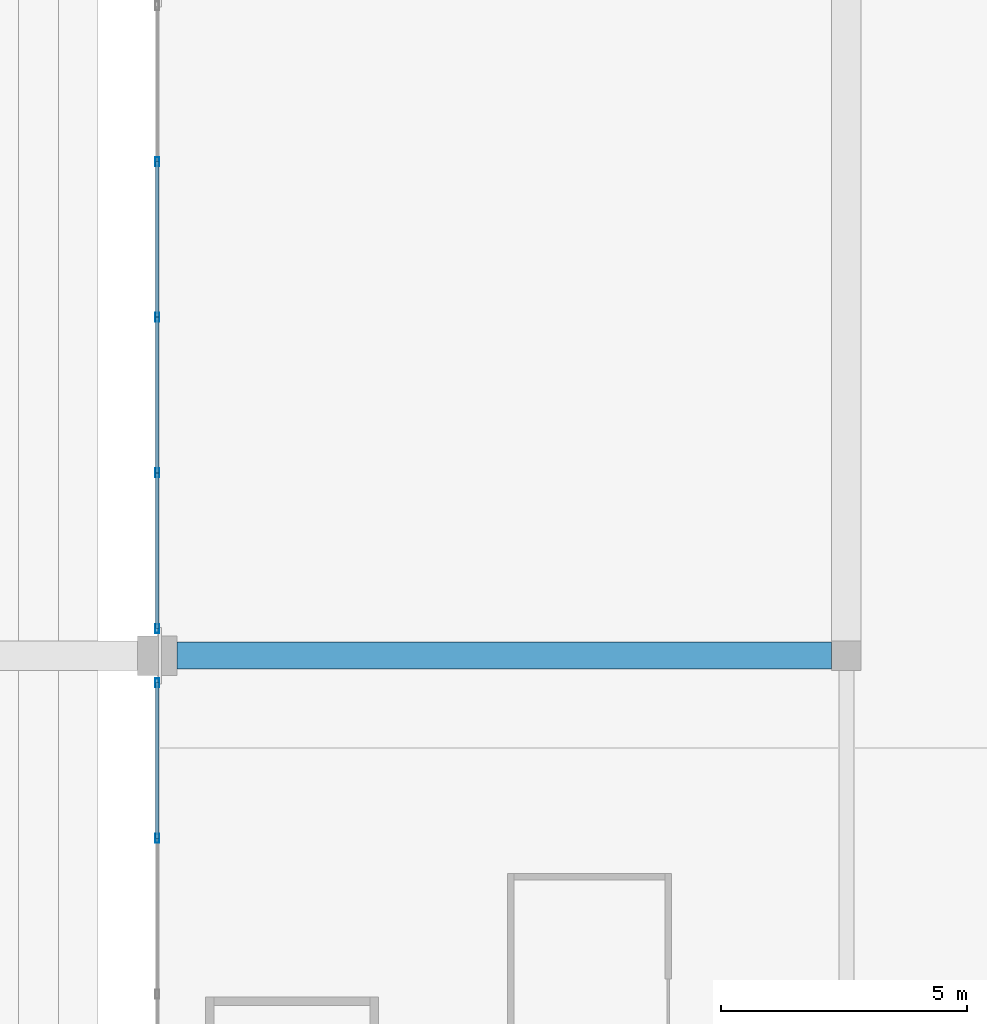
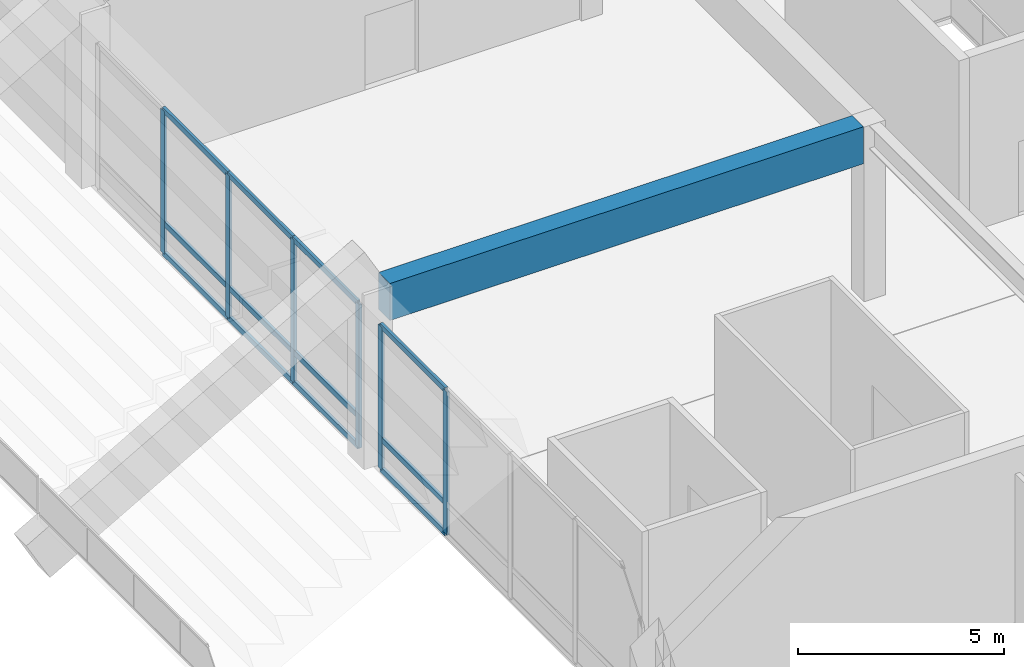
# One storey, part 37 of 90: 18 members, 1 beam, 2 elements without a shape of their own.
"""IFC4 building model written with IfcOpenShell, lengths in metres."""

from ifc_helpers import new_model, si_unit, direction, frame, origin, origin_2d, place, context, subcontext, project, spatial, rectangle, hollow_rectangle, extrude, material, material_profile, profile_set, type_object, element, aggregate, save


model = new_model("IFC4")

# Units and contexts
model_context = context("Model", 3, precision=1e-05, world=origin(), true_north=direction((0.0, 1.0)))
body_context = subcontext(model_context, "Body", "Model", "MODEL_VIEW")
ifc_project = project(units=[si_unit("LENGTHUNIT", "METRE"), si_unit("AREAUNIT", "SQUARE_METRE"), si_unit("VOLUMEUNIT", "CUBIC_METRE"), si_unit("PLANEANGLEUNIT", "RADIAN"), si_unit("MASSUNIT", "GRAM", prefix="KILO")], contexts=[model_context])

# Site, building, storey
site_placement = place(None, origin())
site = spatial("IfcSite", under=ifc_project, at=site_placement, CompositionType="ELEMENT")
building_placement = place(site_placement, origin())
building = spatial("IfcBuilding", under=site, at=building_placement, Name="Linyun Crest Stadium", CompositionType="ELEMENT")
storey_placement = place(building_placement, frame((0.0, 0.0, 21.0)))
storey = spatial("IfcBuildingStorey", under=building, at=storey_placement, Name="L05", CompositionType="ELEMENT", Elevation=21.0)

# Curtain wall, members
ifc_material_1 = material(Name="Verdigris steel and low-E curtain wall assembly", Category="steel")
curtain_wall_type = type_object("IfcCurtainWallType", Name="MCW01", PredefinedType="NOTDEFINED", material=ifc_material_1)
curtain_wall_1_placement = place(storey_placement, origin())
curtain_wall_1 = element("IfcCurtainWall", 1, at=curtain_wall_1_placement, inside=storey, type_object=curtain_wall_type, Name="CWR-090", PredefinedType="NOTDEFINED")
ifc_material_2 = material(Name="Verdigris painted steel Q355B mullion", Category="steel")
ifc_material_profile_1 = material_profile(ifc_material_2, hollow_rectangle(XDim=0.080078125, YDim=0.179931640625, WallThickness=0.006103515625, at=origin_2d()), Name="RHS 180x80x6")
ifc_profile_set_1 = profile_set([ifc_material_profile_1], Name="Verdigris painted steel Q355B mullion")
member_type_1 = type_object("IfcMemberType", Name="ML02", PredefinedType="MULLION", material=ifc_profile_set_1)
member_1_placement = place(storey_placement, frame((70.0, -15.337890625, 0.0), z_axis=(0.0, 0.0, 1.0), x_axis=(-1.0, 0.0, 0.0)))
member_1 = element("IfcMember", 2, at=member_1_placement, type_object=member_type_1, Name="CWR-090 mullion 4", PredefinedType="MULLION", context=body_context, shape_type="SweptSolid", body=[
    extrude(hollow_rectangle(XDim=0.080078125, YDim=0.179931640625, WallThickness=0.006103515625, at=origin_2d()), origin(), (0.0, 0.0, 1.0), 4.25),
])
member_2_placement = place(storey_placement, frame((70.0, -12.175048828125, 0.0), z_axis=(0.0, 0.0, 1.0), x_axis=(-1.0, 0.0, 0.0)))
member_2 = element("IfcMember", 3, at=member_2_placement, type_object=member_type_1, Name="CWR-090 mullion 5", PredefinedType="MULLION", context=body_context, shape_type="SweptSolid", body=[
    extrude(hollow_rectangle(XDim=0.080078125, YDim=0.179931640625, WallThickness=0.006103515625, at=origin_2d()), origin(), (0.0, 0.0, 1.0), 4.25),
])

curtain_wall_2_placement = place(storey_placement, origin())
curtain_wall_2 = element("IfcCurtainWall", 4, at=curtain_wall_2_placement, inside=storey, type_object=curtain_wall_type, Name="CWR-099", PredefinedType="NOTDEFINED")
member_3_placement = place(storey_placement, frame((70.0, -11.074951171875, 0.0), z_axis=(0.0, 0.0, 1.0), x_axis=(-1.0, 0.0, 0.0)))
member_3 = element("IfcMember", 5, at=member_3_placement, type_object=member_type_1, Name="CWR-099 mullion 1", PredefinedType="MULLION", context=body_context, shape_type="SweptSolid", body=[
    extrude(hollow_rectangle(XDim=0.080078125, YDim=0.179931640625, WallThickness=0.006103515625, at=origin_2d()), origin(), (0.0, 0.0, 1.0), 4.25),
])
member_4_placement = place(storey_placement, frame((70.0, -7.912109375, 0.0), z_axis=(0.0, 0.0, 1.0), x_axis=(-1.0, 0.0, 0.0)))
member_4 = element("IfcMember", 6, at=member_4_placement, type_object=member_type_1, Name="CWR-099 mullion 2", PredefinedType="MULLION", context=body_context, shape_type="SweptSolid", body=[
    extrude(hollow_rectangle(XDim=0.080078125, YDim=0.179931640625, WallThickness=0.006103515625, at=origin_2d()), origin(), (0.0, 0.0, 1.0), 4.25),
])
member_5_placement = place(storey_placement, frame((70.0, -4.75, 0.0), z_axis=(0.0, 0.0, 1.0), x_axis=(-1.0, 0.0, 0.0)))
member_5 = element("IfcMember", 7, at=member_5_placement, type_object=member_type_1, Name="CWR-099 mullion 3", PredefinedType="MULLION", context=body_context, shape_type="SweptSolid", body=[
    extrude(hollow_rectangle(XDim=0.080078125, YDim=0.179931640625, WallThickness=0.006103515625, at=origin_2d()), origin(), (0.0, 0.0, 1.0), 4.25),
])
member_6_placement = place(storey_placement, frame((70.0, -1.587890625, 0.0), z_axis=(0.0, 0.0, 1.0), x_axis=(-1.0, 0.0, 0.0)))
member_6 = element("IfcMember", 8, at=member_6_placement, type_object=member_type_1, Name="CWR-099 mullion 4", PredefinedType="MULLION", context=body_context, shape_type="SweptSolid", body=[
    extrude(hollow_rectangle(XDim=0.080078125, YDim=0.179931640625, WallThickness=0.006103515625, at=origin_2d()), origin(), (0.0, 0.0, 1.0), 4.25),
])

# Beam
ifc_material_3 = material(Name="Concrete C50", Category="concrete")
ifc_material_profile_2 = material_profile(ifc_material_3, rectangle(XDim=0.550048828125, YDim=1.10009765625, at=origin_2d()), Name="RCB 1100x550")
ifc_profile_set_2 = profile_set([ifc_material_profile_2], Name="Concrete C50")
beam_type = type_object("IfcBeamType", Name="TB01", PredefinedType="USERDEFINED", material=ifc_profile_set_2)
beam_placement = place(storey_placement, frame((70.39990234375, -11.625, 4.635009765625), z_axis=(1.0, 0.0, 0.0), x_axis=(0.0, 1.0, 0.0)))
element("IfcBeam", 9, at=beam_placement, inside=storey, type_object=beam_type, Name="Frame beam TB01 L05 729", ObjectType="GIRDER", PredefinedType="USERDEFINED", context=body_context, shape_type="SweptSolid", body=[
    extrude(rectangle(XDim=0.550048828125, YDim=1.10009765625, at=origin_2d()), origin(), (0.0, 0.0, 1.0), 13.300048828125),
])

# Member
ifc_material_4 = material(Name="Aluminium thermally broken transom", Category="aluminium")
ifc_material_profile_3 = material_profile(ifc_material_4, hollow_rectangle(XDim=0.080078125, YDim=0.159912109375, WallThickness=0.006103515625, at=origin_2d()), Name="RHS 160x80x6")
ifc_profile_set_3 = profile_set([ifc_material_profile_3], Name="Aluminium thermally broken transom")
member_type_2 = type_object("IfcMemberType", Name="TR01", PredefinedType="USERDEFINED", material=ifc_profile_set_3)
member_7_placement = place(storey_placement, frame((70.0, -15.337890625, 0.0), z_axis=(0.0, 1.0, 0.0), x_axis=(-1.0, 0.0, 0.0)))
member_7 = element("IfcMember", 10, at=member_7_placement, type_object=member_type_2, Name="CWR-090 transom 4.1", ObjectType="TRANSOM", PredefinedType="USERDEFINED", context=body_context, shape_type="SweptSolid", body=[
    extrude(hollow_rectangle(XDim=0.080078125, YDim=0.159912109375, WallThickness=0.006103515625, at=origin_2d()), origin(), (0.0, 0.0, 1.0), 3.162841796875),
])

member_8_placement = place(storey_placement, frame((70.0, -15.337890625, 0.89990234375), z_axis=(0.0, 1.0, 0.0), x_axis=(-1.0, 0.0, 0.0)))
member_8 = element("IfcMember", 11, at=member_8_placement, type_object=member_type_2, Name="CWR-090 transom 4.2", ObjectType="TRANSOM", PredefinedType="USERDEFINED", context=body_context, shape_type="SweptSolid", body=[
    extrude(hollow_rectangle(XDim=0.080078125, YDim=0.159912109375, WallThickness=0.006103515625, at=origin_2d()), origin(), (0.0, 0.0, 1.0), 3.162841796875),
])

member_9_placement = place(storey_placement, frame((70.0, -15.337890625, 4.25), z_axis=(0.0, 1.0, 0.0), x_axis=(-1.0, 0.0, 0.0)))
member_9 = element("IfcMember", 12, at=member_9_placement, type_object=member_type_2, Name="CWR-090 transom 4.3", ObjectType="TRANSOM", PredefinedType="USERDEFINED", context=body_context, shape_type="SweptSolid", body=[
    extrude(hollow_rectangle(XDim=0.080078125, YDim=0.159912109375, WallThickness=0.006103515625, at=origin_2d()), origin(), (0.0, 0.0, 1.0), 3.162841796875),
])

aggregate(curtain_wall_1, [member_1, member_2, member_7, member_8, member_9])

member_10_placement = place(storey_placement, frame((70.0, -11.074951171875, 0.0), z_axis=(0.0, 1.0, 0.0), x_axis=(-1.0, 0.0, 0.0)))
member_10 = element("IfcMember", 13, at=member_10_placement, type_object=member_type_2, Name="CWR-099 transom 1.1", ObjectType="TRANSOM", PredefinedType="USERDEFINED", context=body_context, shape_type="SweptSolid", body=[
    extrude(hollow_rectangle(XDim=0.080078125, YDim=0.159912109375, WallThickness=0.006103515625, at=origin_2d()), origin(), (0.0, 0.0, 1.0), 3.162841796875),
])

member_11_placement = place(storey_placement, frame((70.0, -11.074951171875, 0.89990234375), z_axis=(0.0, 1.0, 0.0), x_axis=(-1.0, 0.0, 0.0)))
member_11 = element("IfcMember", 14, at=member_11_placement, type_object=member_type_2, Name="CWR-099 transom 1.2", ObjectType="TRANSOM", PredefinedType="USERDEFINED", context=body_context, shape_type="SweptSolid", body=[
    extrude(hollow_rectangle(XDim=0.080078125, YDim=0.159912109375, WallThickness=0.006103515625, at=origin_2d()), origin(), (0.0, 0.0, 1.0), 3.162841796875),
])

member_12_placement = place(storey_placement, frame((70.0, -11.074951171875, 4.25), z_axis=(0.0, 1.0, 0.0), x_axis=(-1.0, 0.0, 0.0)))
member_12 = element("IfcMember", 15, at=member_12_placement, type_object=member_type_2, Name="CWR-099 transom 1.3", ObjectType="TRANSOM", PredefinedType="USERDEFINED", context=body_context, shape_type="SweptSolid", body=[
    extrude(hollow_rectangle(XDim=0.080078125, YDim=0.159912109375, WallThickness=0.006103515625, at=origin_2d()), origin(), (0.0, 0.0, 1.0), 3.162841796875),
])

member_13_placement = place(storey_placement, frame((70.0, -7.912109375, 0.0), z_axis=(0.0, 1.0, 0.0), x_axis=(-1.0, 0.0, 0.0)))
member_13 = element("IfcMember", 16, at=member_13_placement, type_object=member_type_2, Name="CWR-099 transom 2.1", ObjectType="TRANSOM", PredefinedType="USERDEFINED", context=body_context, shape_type="SweptSolid", body=[
    extrude(hollow_rectangle(XDim=0.080078125, YDim=0.159912109375, WallThickness=0.006103515625, at=origin_2d()), origin(), (0.0, 0.0, 1.0), 3.162109375),
])

member_14_placement = place(storey_placement, frame((70.0, -7.912109375, 0.89990234375), z_axis=(0.0, 1.0, 0.0), x_axis=(-1.0, 0.0, 0.0)))
member_14 = element("IfcMember", 17, at=member_14_placement, type_object=member_type_2, Name="CWR-099 transom 2.2", ObjectType="TRANSOM", PredefinedType="USERDEFINED", context=body_context, shape_type="SweptSolid", body=[
    extrude(hollow_rectangle(XDim=0.080078125, YDim=0.159912109375, WallThickness=0.006103515625, at=origin_2d()), origin(), (0.0, 0.0, 1.0), 3.162109375),
])

member_15_placement = place(storey_placement, frame((70.0, -7.912109375, 4.25), z_axis=(0.0, 1.0, 0.0), x_axis=(-1.0, 0.0, 0.0)))
member_15 = element("IfcMember", 18, at=member_15_placement, type_object=member_type_2, Name="CWR-099 transom 2.3", ObjectType="TRANSOM", PredefinedType="USERDEFINED", context=body_context, shape_type="SweptSolid", body=[
    extrude(hollow_rectangle(XDim=0.080078125, YDim=0.159912109375, WallThickness=0.006103515625, at=origin_2d()), origin(), (0.0, 0.0, 1.0), 3.162109375),
])

member_16_placement = place(storey_placement, frame((70.0, -4.75, 0.0), z_axis=(0.0, 1.0, 0.0), x_axis=(-1.0, 0.0, 0.0)))
member_16 = element("IfcMember", 19, at=member_16_placement, type_object=member_type_2, Name="CWR-099 transom 3.1", ObjectType="TRANSOM", PredefinedType="USERDEFINED", context=body_context, shape_type="SweptSolid", body=[
    extrude(hollow_rectangle(XDim=0.080078125, YDim=0.159912109375, WallThickness=0.006103515625, at=origin_2d()), origin(), (0.0, 0.0, 1.0), 3.162109375),
])

member_17_placement = place(storey_placement, frame((70.0, -4.75, 0.89990234375), z_axis=(0.0, 1.0, 0.0), x_axis=(-1.0, 0.0, 0.0)))
member_17 = element("IfcMember", 20, at=member_17_placement, type_object=member_type_2, Name="CWR-099 transom 3.2", ObjectType="TRANSOM", PredefinedType="USERDEFINED", context=body_context, shape_type="SweptSolid", body=[
    extrude(hollow_rectangle(XDim=0.080078125, YDim=0.159912109375, WallThickness=0.006103515625, at=origin_2d()), origin(), (0.0, 0.0, 1.0), 3.162109375),
])

member_18_placement = place(storey_placement, frame((70.0, -4.75, 4.25), z_axis=(0.0, 1.0, 0.0), x_axis=(-1.0, 0.0, 0.0)))
member_18 = element("IfcMember", 21, at=member_18_placement, type_object=member_type_2, Name="CWR-099 transom 3.3", ObjectType="TRANSOM", PredefinedType="USERDEFINED", context=body_context, shape_type="SweptSolid", body=[
    extrude(hollow_rectangle(XDim=0.080078125, YDim=0.159912109375, WallThickness=0.006103515625, at=origin_2d()), origin(), (0.0, 0.0, 1.0), 3.162109375),
])

aggregate(curtain_wall_2, [member_3, member_4, member_5, member_6, member_10, member_11, member_12, member_13, member_14, member_15, member_16, member_17, member_18])

save(model, "model.ifc")
